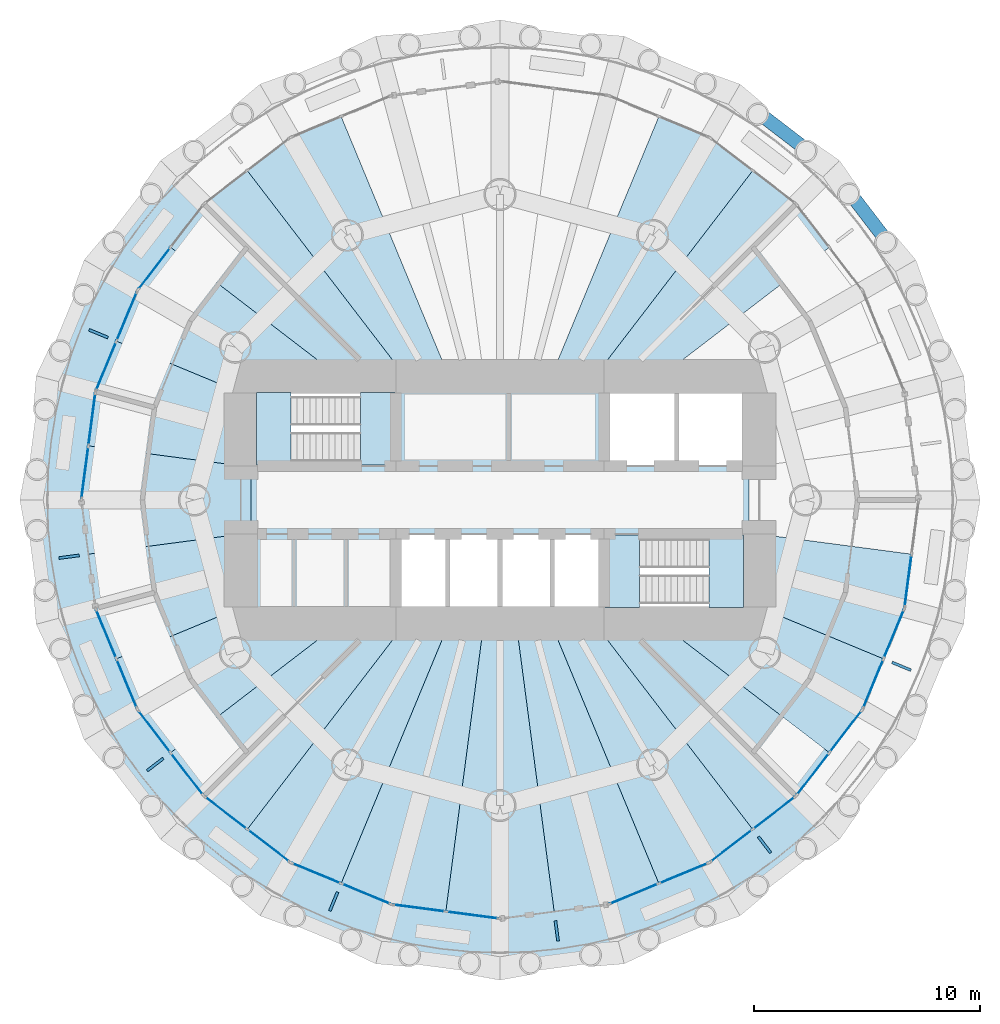
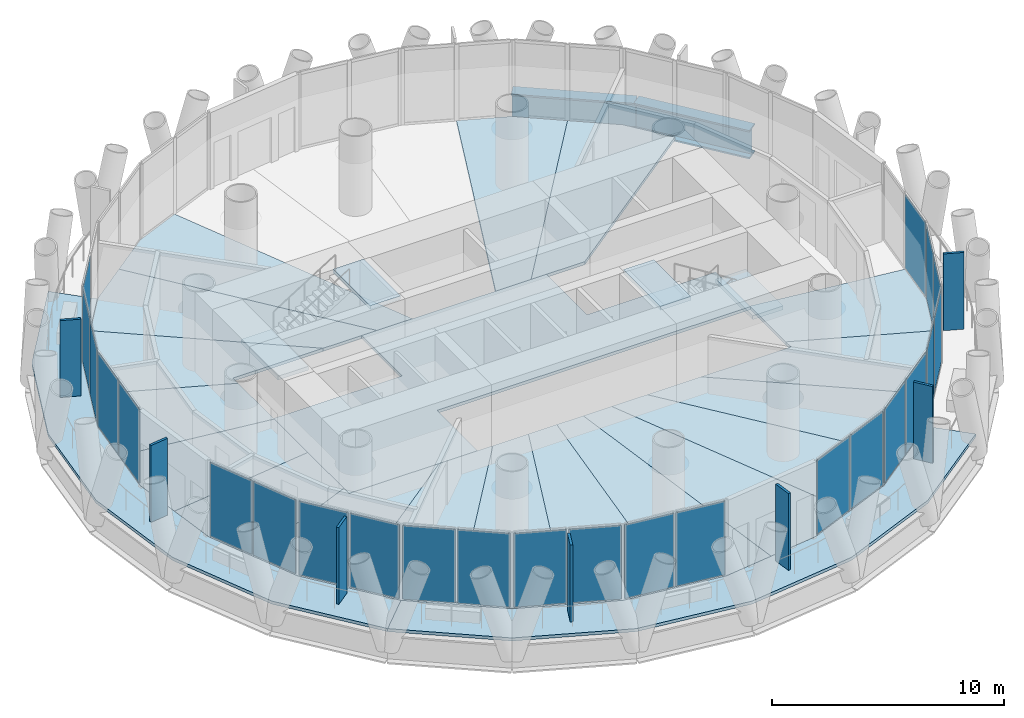
# One storey, part 6 of 12: 31 plates, 25 slabs, 2 beams, 15 elements without a shape of their own.
"""IFC4 building model written with IfcOpenShell, lengths in metres."""

from ifc_helpers import new_model, si_unit, direction, frame, origin, origin_2d, place, context, subcontext, project, spatial, polyline, rectangle, i_section, outline, extrude, material, layer, layer_set, material_profile, profile_set, type_object, element, aggregate, save


model = new_model("IFC4")

# Units and contexts
model_context = context("Model", 3, precision=1e-05, world=origin(), true_north=direction((0.0, 1.0)))
body_context = subcontext(model_context, "Body", "Model", "MODEL_VIEW")
ifc_project = project(units=[si_unit("LENGTHUNIT", "METRE"), si_unit("AREAUNIT", "SQUARE_METRE"), si_unit("VOLUMEUNIT", "CUBIC_METRE"), si_unit("PLANEANGLEUNIT", "RADIAN"), si_unit("MASSUNIT", "GRAM", prefix="KILO")], contexts=[model_context])

# Site, building, storey
site_placement = place(None, origin())
site = spatial("IfcSite", under=ifc_project, at=site_placement, CompositionType="ELEMENT")
building_placement = place(site_placement, origin())
building = spatial("IfcBuilding", under=site, at=building_placement, Name="Qaws Media Tower", CompositionType="ELEMENT")
storey_placement = place(building_placement, frame((0.0, 0.0, 278.0)))
storey = spatial("IfcBuildingStorey", under=building, at=storey_placement, Name="L64", CompositionType="ELEMENT", Elevation=278.0)

# Beams
ifc_material_1 = material(Name="Steel S460", Category="steel")
ifc_material_profile = material_profile(ifc_material_1, i_section(OverallWidth=0.60009765625, OverallDepth=1.5, WebThickness=0.030029296875, FlangeThickness=0.080078125, at=origin_2d()), Name="PG 1500x600")
ifc_profile_set = profile_set([ifc_material_profile], Name="Steel S460")
beam_type = type_object("IfcBeamType", Name="Edge ring beam PG 1500x600", PredefinedType="BEAM", material=ifc_profile_set)
for number, where, z_axis, x_axis, name in (
    (1, (77.9267578125, 60.35009765625, -0.909912109375), (-0.608753981167, 0.793359055165, 0.0), (-0.793359055165, -0.608753981167, 0.0), "RB5 edge ring beam L64-03"),
    (2, (74.63720703125, 64.63720703125, -0.909912109375), (-0.793359055165, 0.608753981167, 0.0), (-0.608753981167, -0.793359055165, 0.0), "RB5 edge ring beam L64-04"),
):
    element("IfcBeam", number, at=place(storey_placement, frame(where, z_axis=z_axis, x_axis=x_axis)), inside=storey, type_object=beam_type, Name=name, PredefinedType="BEAM", context=body_context, shape_type="SweptSolid", body=[
        extrude(i_section(OverallWidth=0.60009765625, OverallDepth=1.5, WebThickness=0.030029296875, FlangeThickness=0.080078125, at=origin_2d()), origin(), (0.0, 0.0, 1.0), 5.40380859375),
    ])

# Slabs
ifc_material_2 = material(Name="Concrete C35/45", Category="concrete")
ifc_layer_1 = layer(ifc_material_2, 0.159912109375)
ifc_layer_set_1 = layer_set([ifc_layer_1], Name="Composite balcony slab 160")
slab_type_1 = type_object("IfcSlabType", Name="Composite balcony slab 160", PredefinedType="FLOOR", material=ifc_layer_set_1)
slab_1_placement = place(storey_placement, frame((0.0, 0.0, -0.159912109375)))
element("IfcSlab", 3, at=slab_1_placement, inside=storey, type_object=slab_type_1, Name="S2 balcony slab L64 R10 to R16, movement joints on R10 and R16", PredefinedType="FLOOR", context=body_context, shape_type="SweptSolid", body=[
    extrude(outline(polyline([(42.0732421875, 39.64990234375), (40.00537109375, 44.642333984375), (39.300048828125, 50.0), (40.00537109375, 55.357666015625), (42.0732421875, 60.35009765625), (45.36279296875, 64.63720703125), (46.91845703125, 63.08154296875), (43.978515625, 59.25), (42.13037109375, 54.7880859375), (41.5, 50.0), (42.13037109375, 45.2119140625), (43.978515625, 40.75), (46.91845703125, 36.91845703125), (45.36279296875, 35.36279296875), (42.0732421875, 39.64990234375)])), origin(), (0.0, 0.0, 1.0), 0.159912109375),
])
slab_2_placement = place(storey_placement, frame((0.0, 0.0, -0.159912109375)))
element("IfcSlab", 4, at=slab_2_placement, inside=storey, type_object=slab_type_1, Name="S2 balcony slab L64 R16 to R22, movement joints on R16 and R22", PredefinedType="FLOOR", context=body_context, shape_type="SweptSolid", body=[
    extrude(outline(polyline([(70.35009765625, 32.0732421875), (65.357666015625, 30.00537109375), (60.0, 29.300048828125), (54.642333984375, 30.00537109375), (49.64990234375, 32.0732421875), (45.36279296875, 35.36279296875), (46.91845703125, 36.91845703125), (50.75, 33.978515625), (55.2119140625, 32.13037109375), (60.0, 31.5), (64.7880859375, 32.13037109375), (69.25, 33.978515625), (73.08154296875, 36.91845703125), (74.63720703125, 35.36279296875), (70.35009765625, 32.0732421875)])), origin(), (0.0, 0.0, 1.0), 0.159912109375),
])
ifc_material_3 = material(Name="Concrete C35/45", Category="concrete")
ifc_layer_2 = layer(ifc_material_3, 0.159912109375)
ifc_layer_set_2 = layer_set([ifc_layer_2], Name="Composite floor slab 160")
slab_type_2 = type_object("IfcSlabType", Name="Composite floor slab 160", PredefinedType="FLOOR", material=ifc_layer_set_2)
slab_3_placement = place(storey_placement, frame((0.0, 0.0, -0.159912109375)))
element("IfcSlab", 5, at=slab_3_placement, inside=storey, type_object=slab_type_2, Name="S1 core floor slab L64", PredefinedType="FLOOR", context=body_context, shape_type="SweptSolid", body=[
    extrude(outline(polyline([(71.0, 51.5), (71.0, 48.5), (55.39990234375, 48.5), (55.39990234375, 45.0), (49.0, 45.0), (49.0, 51.5), (55.39990234375, 51.5), (55.39990234375, 55.0), (64.60009765625, 55.0), (64.60009765625, 51.5), (71.0, 51.5)])), origin(), (0.0, 0.0, 1.0), 0.159912109375),
])
slab_4_placement = place(storey_placement, frame((0.0, 0.0, -0.159912109375)))
element("IfcSlab", 6, at=slab_4_placement, inside=storey, type_object=slab_type_2, Name="S1 floor panel L64 on R04", PredefinedType="FLOOR", context=body_context, shape_type="SweptSolid", body=[
    extrude(outline(polyline([(73.08154296875, 63.08154296875), (74.551513671875, 61.165771484375), (66.51611328125, 55.0), (63.836669921875, 55.0), (71.165771484375, 64.551513671875), (73.08154296875, 63.08154296875)])), origin(), (0.0, 0.0, 1.0), 0.159912109375),
])
slab_5_placement = place(storey_placement, frame((0.0, 0.0, -0.159912109375)))
element("IfcSlab", 7, at=slab_5_placement, inside=storey, type_object=slab_type_2, Name="S1 floor panel L64 on R05", PredefinedType="FLOOR", context=body_context, shape_type="SweptSolid", body=[
    extrude(outline(polyline([(69.25, 66.021484375), (71.165771484375, 64.551513671875), (63.836669921875, 55.0), (62.071044921875, 55.0), (67.01904296875, 66.945556640625), (69.25, 66.021484375)])), origin(), (0.0, 0.0, 1.0), 0.159912109375),
])
slab_6_placement = place(storey_placement, frame((0.0, 0.0, -0.159912109375)))
element("IfcSlab", 8, at=slab_6_placement, inside=storey, type_object=slab_type_2, Name="S1 floor panel L64 on R09", PredefinedType="FLOOR", context=body_context, shape_type="SweptSolid", body=[
    extrude(outline(polyline([(50.75, 66.021484375), (52.98095703125, 66.945556640625), (57.928955078125, 55.0), (56.163330078125, 55.0), (48.834228515625, 64.551513671875), (50.75, 66.021484375)])), origin(), (0.0, 0.0, 1.0), 0.159912109375),
])
slab_7_placement = place(storey_placement, frame((0.0, 0.0, -0.159912109375)))
element("IfcSlab", 9, at=slab_7_placement, inside=storey, type_object=slab_type_2, Name="S1 floor panel L64 on R10", PredefinedType="FLOOR", context=body_context, shape_type="SweptSolid", body=[
    extrude(outline(polyline([(46.91845703125, 63.08154296875), (48.834228515625, 64.551513671875), (56.163330078125, 55.0), (53.48388671875, 55.0), (45.448486328125, 61.165771484375), (46.91845703125, 63.08154296875)])), origin(), (0.0, 0.0, 1.0), 0.159912109375),
])
slab_8_placement = place(storey_placement, frame((0.0, 0.0, -0.159912109375)))
element("IfcSlab", 10, at=slab_8_placement, inside=storey, type_object=slab_type_2, Name="S1 floor panel L64 on R11", PredefinedType="FLOOR", context=body_context, shape_type="SweptSolid", body=[
    extrude(outline(polyline([(43.978515625, 59.25), (45.448486328125, 61.165771484375), (53.48388671875, 55.0), (49.0, 55.0), (49.0, 54.556396484375), (43.054443359375, 57.01904296875), (43.978515625, 59.25)])), origin(), (0.0, 0.0, 1.0), 0.159912109375),
])
slab_9_placement = place(storey_placement, frame((0.0, 0.0, -0.159912109375)))
element("IfcSlab", 11, at=slab_9_placement, inside=storey, type_object=slab_type_2, Name="S1 floor panel L64 on R12", PredefinedType="FLOOR", context=body_context, shape_type="SweptSolid", body=[
    extrude(outline(polyline([(42.13037109375, 54.7880859375), (43.054443359375, 57.01904296875), (49.0, 54.556396484375), (49.0, 51.4482421875), (41.815185546875, 52.39404296875), (42.13037109375, 54.7880859375)])), origin(), (0.0, 0.0, 1.0), 0.159912109375),
])
slab_10_placement = place(storey_placement, frame((0.0, 0.0, -0.159912109375)))
element("IfcSlab", 12, at=slab_10_placement, inside=storey, type_object=slab_type_2, Name="S1 floor panel L64 on R13", PredefinedType="FLOOR", context=body_context, shape_type="SweptSolid", body=[
    extrude(outline(polyline([(41.5, 50.0), (41.815185546875, 52.39404296875), (49.0, 51.4482421875), (49.0, 48.5517578125), (41.815185546875, 47.60595703125), (41.5, 50.0)])), origin(), (0.0, 0.0, 1.0), 0.159912109375),
])
slab_11_placement = place(storey_placement, frame((0.0, 0.0, -0.159912109375)))
element("IfcSlab", 13, at=slab_11_placement, inside=storey, type_object=slab_type_2, Name="S1 floor panel L64 on R14", PredefinedType="FLOOR", context=body_context, shape_type="SweptSolid", body=[
    extrude(outline(polyline([(42.13037109375, 45.2119140625), (41.815185546875, 47.60595703125), (49.0, 48.5517578125), (49.0, 45.443603515625), (43.054443359375, 42.98095703125), (42.13037109375, 45.2119140625)])), origin(), (0.0, 0.0, 1.0), 0.159912109375),
])
slab_12_placement = place(storey_placement, frame((0.0, 0.0, -0.159912109375)))
element("IfcSlab", 14, at=slab_12_placement, inside=storey, type_object=slab_type_2, Name="S1 floor panel L64 on R15", PredefinedType="FLOOR", context=body_context, shape_type="SweptSolid", body=[
    extrude(outline(polyline([(43.978515625, 40.75), (43.054443359375, 42.98095703125), (49.0, 45.443603515625), (49.0, 45.0), (53.48388671875, 45.0), (45.448486328125, 38.834228515625), (43.978515625, 40.75)])), origin(), (0.0, 0.0, 1.0), 0.159912109375),
])
slab_13_placement = place(storey_placement, frame((0.0, 0.0, -0.159912109375)))
element("IfcSlab", 15, at=slab_13_placement, inside=storey, type_object=slab_type_2, Name="S1 floor panel L64 on R16", PredefinedType="FLOOR", context=body_context, shape_type="SweptSolid", body=[
    extrude(outline(polyline([(46.91845703125, 36.91845703125), (45.448486328125, 38.834228515625), (53.48388671875, 45.0), (56.163330078125, 45.0), (48.834228515625, 35.448486328125), (46.91845703125, 36.91845703125)])), origin(), (0.0, 0.0, 1.0), 0.159912109375),
])
slab_14_placement = place(storey_placement, frame((0.0, 0.0, -0.159912109375)))
element("IfcSlab", 16, at=slab_14_placement, inside=storey, type_object=slab_type_2, Name="S1 floor panel L64 on R17", PredefinedType="FLOOR", context=body_context, shape_type="SweptSolid", body=[
    extrude(outline(polyline([(50.75, 33.978515625), (48.834228515625, 35.448486328125), (56.163330078125, 45.0), (57.928955078125, 45.0), (52.98095703125, 33.054443359375), (50.75, 33.978515625)])), origin(), (0.0, 0.0, 1.0), 0.159912109375),
])
slab_15_placement = place(storey_placement, frame((0.0, 0.0, -0.159912109375)))
element("IfcSlab", 17, at=slab_15_placement, inside=storey, type_object=slab_type_2, Name="S1 floor panel L64 on R18", PredefinedType="FLOOR", context=body_context, shape_type="SweptSolid", body=[
    extrude(outline(polyline([(55.2119140625, 32.13037109375), (52.98095703125, 33.054443359375), (57.928955078125, 45.0), (59.341796875, 45.0), (57.60595703125, 31.815185546875), (55.2119140625, 32.13037109375)])), origin(), (0.0, 0.0, 1.0), 0.159912109375),
])
slab_16_placement = place(storey_placement, frame((0.0, 0.0, -0.159912109375)))
element("IfcSlab", 18, at=slab_16_placement, inside=storey, type_object=slab_type_2, Name="S1 floor panel L64 on R19", PredefinedType="FLOOR", context=body_context, shape_type="SweptSolid", body=[
    extrude(outline(polyline([(60.0, 31.5), (57.60595703125, 31.815185546875), (59.341796875, 45.0), (60.658203125, 45.0), (62.39404296875, 31.815185546875), (60.0, 31.5)])), origin(), (0.0, 0.0, 1.0), 0.159912109375),
])
slab_17_placement = place(storey_placement, frame((0.0, 0.0, -0.159912109375)))
element("IfcSlab", 19, at=slab_17_placement, inside=storey, type_object=slab_type_2, Name="S1 floor panel L64 on R20", PredefinedType="FLOOR", context=body_context, shape_type="SweptSolid", body=[
    extrude(outline(polyline([(64.7880859375, 32.13037109375), (62.39404296875, 31.815185546875), (60.658203125, 45.0), (62.071044921875, 45.0), (67.01904296875, 33.054443359375), (64.7880859375, 32.13037109375)])), origin(), (0.0, 0.0, 1.0), 0.159912109375),
])
slab_18_placement = place(storey_placement, frame((0.0, 0.0, -0.159912109375)))
element("IfcSlab", 20, at=slab_18_placement, inside=storey, type_object=slab_type_2, Name="S1 floor panel L64 on R21", PredefinedType="FLOOR", context=body_context, shape_type="SweptSolid", body=[
    extrude(outline(polyline([(69.25, 33.978515625), (67.01904296875, 33.054443359375), (62.071044921875, 45.0), (63.836669921875, 45.0), (71.165771484375, 35.448486328125), (69.25, 33.978515625)])), origin(), (0.0, 0.0, 1.0), 0.159912109375),
])
slab_19_placement = place(storey_placement, frame((0.0, 0.0, -0.159912109375)))
element("IfcSlab", 21, at=slab_19_placement, inside=storey, type_object=slab_type_2, Name="S1 floor panel L64 on R22", PredefinedType="FLOOR", context=body_context, shape_type="SweptSolid", body=[
    extrude(outline(polyline([(73.08154296875, 36.91845703125), (71.165771484375, 35.448486328125), (63.836669921875, 45.0), (66.51611328125, 45.0), (74.551513671875, 38.834228515625), (73.08154296875, 36.91845703125)])), origin(), (0.0, 0.0, 1.0), 0.159912109375),
])
slab_20_placement = place(storey_placement, frame((0.0, 0.0, -0.159912109375)))
element("IfcSlab", 22, at=slab_20_placement, inside=storey, type_object=slab_type_2, Name="S1 floor panel L64 on R23", PredefinedType="FLOOR", context=body_context, shape_type="SweptSolid", body=[
    extrude(outline(polyline([(76.021484375, 40.75), (74.551513671875, 38.834228515625), (66.51611328125, 45.0), (71.0, 45.0), (71.0, 45.443603515625), (76.945556640625, 42.98095703125), (76.021484375, 40.75)])), origin(), (0.0, 0.0, 1.0), 0.159912109375),
])
slab_21_placement = place(storey_placement, frame((0.0, 0.0, -0.159912109375)))
element("IfcSlab", 23, at=slab_21_placement, inside=storey, type_object=slab_type_2, Name="S1 floor panel L64 on R24", PredefinedType="FLOOR", context=body_context, shape_type="SweptSolid", body=[
    extrude(outline(polyline([(76.945556640625, 42.98095703125), (71.0, 45.443603515625), (71.0, 48.5517578125), (78.184814453125, 47.60595703125), (77.86962890625, 45.2119140625), (76.945556640625, 42.98095703125)])), origin(), (0.0, 0.0, 1.0), 0.159912109375),
])

# Curtain wall, plate
ifc_material_4 = material(Name="Aluminium and clear glass", Category="aluminium")
curtain_wall_type = type_object("IfcCurtainWallType", Name="Unitised curtain wall CW-D", PredefinedType="NOTDEFINED", material=ifc_material_4)
curtain_wall_1_placement = place(storey_placement, origin())
curtain_wall_1 = element("IfcCurtainWall", 24, at=curtain_wall_1_placement, inside=storey, type_object=curtain_wall_type, Name="CWD curtain wall L64-10", PredefinedType="NOTDEFINED")
ifc_material_5 = material(Name="Clear laminated double glazing", Category="glass")
ifc_layer_3 = layer(ifc_material_5, 0.031982421875)
ifc_layer_set_3 = layer_set([ifc_layer_3], Name="Curtain wall glass unit 32")
plate_type_1 = type_object("IfcPlateType", Name="Curtain wall glass unit 32", PredefinedType="CURTAIN_PANEL", material=ifc_layer_set_3)
plate_1_placement = place(storey_placement, frame((44.7255859375, 60.2236328125, 0.080078125), z_axis=(0.0, 0.0, 1.0), x_axis=(-0.608761537012, -0.793353257417, 0.0)))
plate_1 = element("IfcPlate", 25, at=plate_1_placement, type_object=plate_type_1, Name="CWD panel 2.1", PredefinedType="CURTAIN_PANEL", context=body_context, shape_type="SweptSolid", body=[
    extrude(rectangle(XDim=2.294677734375, YDim=0.031982421875, at=origin_2d()), origin(), (0.0, 0.0, 1.0), 3.8798828125),
])
aggregate(curtain_wall_1, [plate_1])

# Curtain wall, plates
curtain_wall_2_placement = place(storey_placement, origin())
curtain_wall_2 = element("IfcCurtainWall", 26, at=curtain_wall_2_placement, inside=storey, type_object=curtain_wall_type, Name="CWD curtain wall L64-11", PredefinedType="NOTDEFINED")
plate_2_placement = place(storey_placement, frame((43.5087890625, 58.115966796875, 0.080078125), z_axis=(0.0, 0.0, 1.0), x_axis=(-0.382683440347, -0.923879529205, 0.0)))
plate_2 = element("IfcPlate", 27, at=plate_2_placement, type_object=plate_type_1, Name="CWD panel 1.1", PredefinedType="CURTAIN_PANEL", context=body_context, shape_type="SweptSolid", body=[
    extrude(rectangle(XDim=2.294677734375, YDim=0.031982421875, at=origin_2d()), origin(), (0.0, 0.0, 1.0), 3.8798828125),
])
plate_3_placement = place(storey_placement, frame((42.60009765625, 55.922119140625, 0.080078125), z_axis=(0.0, 0.0, 1.0), x_axis=(-0.382683440347, -0.923879529205, 0.0)))
plate_3 = element("IfcPlate", 28, at=plate_3_placement, type_object=plate_type_1, Name="CWD panel 2.1", PredefinedType="CURTAIN_PANEL", context=body_context, shape_type="SweptSolid", body=[
    extrude(rectangle(XDim=2.294677734375, YDim=0.031982421875, at=origin_2d()), origin(), (0.0, 0.0, 1.0), 3.8798828125),
])
aggregate(curtain_wall_2, [plate_2, plate_3])

curtain_wall_3_placement = place(storey_placement, origin())
curtain_wall_3 = element("IfcCurtainWall", 29, at=curtain_wall_3_placement, inside=storey, type_object=curtain_wall_type, Name="CWD curtain wall L64-12", PredefinedType="NOTDEFINED")
plate_4_placement = place(storey_placement, frame((41.97021484375, 53.5712890625, 0.080078125), z_axis=(0.0, 0.0, 1.0), x_axis=(-0.130526157699, -0.991444865919, 0.0)))
plate_4 = element("IfcPlate", 30, at=plate_4_placement, type_object=plate_type_1, Name="CWD panel 1.1", PredefinedType="CURTAIN_PANEL", context=body_context, shape_type="SweptSolid", body=[
    extrude(rectangle(XDim=2.294677734375, YDim=0.031982421875, at=origin_2d()), origin(), (0.0, 0.0, 1.0), 3.8798828125),
])
plate_5_placement = place(storey_placement, frame((41.66015625, 51.216796875, 0.080078125), z_axis=(0.0, 0.0, 1.0), x_axis=(-0.130526157699, -0.991444865919, 0.0)))
plate_5 = element("IfcPlate", 31, at=plate_5_placement, type_object=plate_type_1, Name="CWD panel 2.1", PredefinedType="CURTAIN_PANEL", context=body_context, shape_type="SweptSolid", body=[
    extrude(rectangle(XDim=2.294677734375, YDim=0.031982421875, at=origin_2d()), origin(), (0.0, 0.0, 1.0), 3.8798828125),
])
aggregate(curtain_wall_3, [plate_4, plate_5])

curtain_wall_4_placement = place(storey_placement, origin())
curtain_wall_4 = element("IfcCurtainWall", 32, at=curtain_wall_4_placement, inside=storey, type_object=curtain_wall_type, Name="CWD curtain wall L64-14", PredefinedType="NOTDEFINED")
plate_6_placement = place(storey_placement, frame((42.60009765625, 44.077880859375, 0.080078125), z_axis=(0.0, 0.0, 1.0), x_axis=(0.382683440347, -0.923879529205, 0.0)))
plate_6 = element("IfcPlate", 33, at=plate_6_placement, type_object=plate_type_1, Name="CWD panel 1.1", PredefinedType="CURTAIN_PANEL", context=body_context, shape_type="SweptSolid", body=[
    extrude(rectangle(XDim=2.294677734375, YDim=0.031982421875, at=origin_2d()), origin(), (0.0, 0.0, 1.0), 3.8798828125),
])
plate_7_placement = place(storey_placement, frame((43.5087890625, 41.884033203125, 0.080078125), z_axis=(0.0, 0.0, 1.0), x_axis=(0.382683440347, -0.923879529205, 0.0)))
plate_7 = element("IfcPlate", 34, at=plate_7_placement, type_object=plate_type_1, Name="CWD panel 2.1", PredefinedType="CURTAIN_PANEL", context=body_context, shape_type="SweptSolid", body=[
    extrude(rectangle(XDim=2.294677734375, YDim=0.031982421875, at=origin_2d()), origin(), (0.0, 0.0, 1.0), 3.8798828125),
])
aggregate(curtain_wall_4, [plate_6, plate_7])

curtain_wall_5_placement = place(storey_placement, origin())
curtain_wall_5 = element("IfcCurtainWall", 35, at=curtain_wall_5_placement, inside=storey, type_object=curtain_wall_type, Name="CWD curtain wall L64-15", PredefinedType="NOTDEFINED")
plate_8_placement = place(storey_placement, frame((44.7255859375, 39.7763671875, 0.080078125), z_axis=(0.0, 0.0, 1.0), x_axis=(0.608761537012, -0.793353257417, 0.0)))
plate_8 = element("IfcPlate", 36, at=plate_8_placement, type_object=plate_type_1, Name="CWD panel 1.1", PredefinedType="CURTAIN_PANEL", context=body_context, shape_type="SweptSolid", body=[
    extrude(rectangle(XDim=2.294677734375, YDim=0.031982421875, at=origin_2d()), origin(), (0.0, 0.0, 1.0), 3.8798828125),
])
plate_9_placement = place(storey_placement, frame((46.17138671875, 37.892333984375, 0.080078125), z_axis=(0.0, 0.0, 1.0), x_axis=(0.608761537012, -0.793353257417, 0.0)))
plate_9 = element("IfcPlate", 37, at=plate_9_placement, type_object=plate_type_1, Name="CWD panel 2.1", PredefinedType="CURTAIN_PANEL", context=body_context, shape_type="SweptSolid", body=[
    extrude(rectangle(XDim=2.294677734375, YDim=0.031982421875, at=origin_2d()), origin(), (0.0, 0.0, 1.0), 3.8798828125),
])
aggregate(curtain_wall_5, [plate_8, plate_9])

curtain_wall_6_placement = place(storey_placement, origin())
curtain_wall_6 = element("IfcCurtainWall", 38, at=curtain_wall_6_placement, inside=storey, type_object=curtain_wall_type, Name="CWD curtain wall L64-16", PredefinedType="NOTDEFINED")
plate_10_placement = place(storey_placement, frame((47.892333984375, 36.17138671875, 0.080078125), z_axis=(0.0, 0.0, 1.0), x_axis=(0.793353257417, -0.608761537012, 0.0)))
plate_10 = element("IfcPlate", 39, at=plate_10_placement, type_object=plate_type_1, Name="CWD panel 1.1", PredefinedType="CURTAIN_PANEL", context=body_context, shape_type="SweptSolid", body=[
    extrude(rectangle(XDim=2.294677734375, YDim=0.031982421875, at=origin_2d()), origin(), (0.0, 0.0, 1.0), 3.8798828125),
])
plate_11_placement = place(storey_placement, frame((49.7763671875, 34.7255859375, 0.080078125), z_axis=(0.0, 0.0, 1.0), x_axis=(0.793353257417, -0.608761537012, 0.0)))
plate_11 = element("IfcPlate", 40, at=plate_11_placement, type_object=plate_type_1, Name="CWD panel 2.1", PredefinedType="CURTAIN_PANEL", context=body_context, shape_type="SweptSolid", body=[
    extrude(rectangle(XDim=2.294677734375, YDim=0.031982421875, at=origin_2d()), origin(), (0.0, 0.0, 1.0), 3.8798828125),
])
aggregate(curtain_wall_6, [plate_10, plate_11])

curtain_wall_7_placement = place(storey_placement, origin())
curtain_wall_7 = element("IfcCurtainWall", 41, at=curtain_wall_7_placement, inside=storey, type_object=curtain_wall_type, Name="CWD curtain wall L64-17", PredefinedType="NOTDEFINED")
plate_12_placement = place(storey_placement, frame((51.884033203125, 33.5087890625, 0.080078125), z_axis=(0.0, 0.0, 1.0), x_axis=(0.923879529205, -0.382683440347, 0.0)))
plate_12 = element("IfcPlate", 42, at=plate_12_placement, type_object=plate_type_1, Name="CWD panel 1.1", PredefinedType="CURTAIN_PANEL", context=body_context, shape_type="SweptSolid", body=[
    extrude(rectangle(XDim=2.294677734375, YDim=0.031982421875, at=origin_2d()), origin(), (0.0, 0.0, 1.0), 3.8798828125),
])
plate_13_placement = place(storey_placement, frame((54.077880859375, 32.60009765625, 0.080078125), z_axis=(0.0, 0.0, 1.0), x_axis=(0.923879529205, -0.382683440347, 0.0)))
plate_13 = element("IfcPlate", 43, at=plate_13_placement, type_object=plate_type_1, Name="CWD panel 2.1", PredefinedType="CURTAIN_PANEL", context=body_context, shape_type="SweptSolid", body=[
    extrude(rectangle(XDim=2.294677734375, YDim=0.031982421875, at=origin_2d()), origin(), (0.0, 0.0, 1.0), 3.8798828125),
])
aggregate(curtain_wall_7, [plate_12, plate_13])

curtain_wall_8_placement = place(storey_placement, origin())
curtain_wall_8 = element("IfcCurtainWall", 44, at=curtain_wall_8_placement, inside=storey, type_object=curtain_wall_type, Name="CWD curtain wall L64-18", PredefinedType="NOTDEFINED")
plate_14_placement = place(storey_placement, frame((56.4287109375, 31.97021484375, 0.080078125), z_axis=(0.0, 0.0, 1.0), x_axis=(0.991444865919, -0.130526157699, 0.0)))
plate_14 = element("IfcPlate", 45, at=plate_14_placement, type_object=plate_type_1, Name="CWD panel 1.1", PredefinedType="CURTAIN_PANEL", context=body_context, shape_type="SweptSolid", body=[
    extrude(rectangle(XDim=2.294677734375, YDim=0.031982421875, at=origin_2d()), origin(), (0.0, 0.0, 1.0), 3.8798828125),
])
plate_15_placement = place(storey_placement, frame((58.783203125, 31.66015625, 0.080078125), z_axis=(0.0, 0.0, 1.0), x_axis=(0.991444865919, -0.130526157699, 0.0)))
plate_15 = element("IfcPlate", 46, at=plate_15_placement, type_object=plate_type_1, Name="CWD panel 2.1", PredefinedType="CURTAIN_PANEL", context=body_context, shape_type="SweptSolid", body=[
    extrude(rectangle(XDim=2.294677734375, YDim=0.031982421875, at=origin_2d()), origin(), (0.0, 0.0, 1.0), 3.8798828125),
])
aggregate(curtain_wall_8, [plate_14, plate_15])

curtain_wall_9_placement = place(storey_placement, origin())
curtain_wall_9 = element("IfcCurtainWall", 47, at=curtain_wall_9_placement, inside=storey, type_object=curtain_wall_type, Name="CWD curtain wall L64-20", PredefinedType="NOTDEFINED")
plate_16_placement = place(storey_placement, frame((65.922119140625, 32.60009765625, 0.080078125), z_axis=(0.0, 0.0, 1.0), x_axis=(0.923879529205, 0.382683440347, 0.0)))
plate_16 = element("IfcPlate", 48, at=plate_16_placement, type_object=plate_type_1, Name="CWD panel 1.1", PredefinedType="CURTAIN_PANEL", context=body_context, shape_type="SweptSolid", body=[
    extrude(rectangle(XDim=2.294677734375, YDim=0.031982421875, at=origin_2d()), origin(), (0.0, 0.0, 1.0), 3.8798828125),
])
plate_17_placement = place(storey_placement, frame((68.115966796875, 33.5087890625, 0.080078125), z_axis=(0.0, 0.0, 1.0), x_axis=(0.923879529205, 0.382683440347, 0.0)))
plate_17 = element("IfcPlate", 49, at=plate_17_placement, type_object=plate_type_1, Name="CWD panel 2.1", PredefinedType="CURTAIN_PANEL", context=body_context, shape_type="SweptSolid", body=[
    extrude(rectangle(XDim=2.294677734375, YDim=0.031982421875, at=origin_2d()), origin(), (0.0, 0.0, 1.0), 3.8798828125),
])
aggregate(curtain_wall_9, [plate_16, plate_17])

curtain_wall_10_placement = place(storey_placement, origin())
curtain_wall_10 = element("IfcCurtainWall", 50, at=curtain_wall_10_placement, inside=storey, type_object=curtain_wall_type, Name="CWD curtain wall L64-21", PredefinedType="NOTDEFINED")
plate_18_placement = place(storey_placement, frame((70.2236328125, 34.7255859375, 0.080078125), z_axis=(0.0, 0.0, 1.0), x_axis=(0.793353257417, 0.608761537012, 0.0)))
plate_18 = element("IfcPlate", 51, at=plate_18_placement, type_object=plate_type_1, Name="CWD panel 1.1", PredefinedType="CURTAIN_PANEL", context=body_context, shape_type="SweptSolid", body=[
    extrude(rectangle(XDim=2.294677734375, YDim=0.031982421875, at=origin_2d()), origin(), (0.0, 0.0, 1.0), 3.8798828125),
])
plate_19_placement = place(storey_placement, frame((72.107666015625, 36.17138671875, 0.080078125), z_axis=(0.0, 0.0, 1.0), x_axis=(0.793353257417, 0.608761537012, 0.0)))
plate_19 = element("IfcPlate", 52, at=plate_19_placement, type_object=plate_type_1, Name="CWD panel 2.1", PredefinedType="CURTAIN_PANEL", context=body_context, shape_type="SweptSolid", body=[
    extrude(rectangle(XDim=2.294677734375, YDim=0.031982421875, at=origin_2d()), origin(), (0.0, 0.0, 1.0), 3.8798828125),
])
aggregate(curtain_wall_10, [plate_18, plate_19])

curtain_wall_11_placement = place(storey_placement, origin())
curtain_wall_11 = element("IfcCurtainWall", 53, at=curtain_wall_11_placement, inside=storey, type_object=curtain_wall_type, Name="CWD curtain wall L64-22", PredefinedType="NOTDEFINED")
plate_20_placement = place(storey_placement, frame((73.82861328125, 37.892333984375, 0.080078125), z_axis=(0.0, 0.0, 1.0), x_axis=(0.608761537012, 0.793353257417, 0.0)))
plate_20 = element("IfcPlate", 54, at=plate_20_placement, type_object=plate_type_1, Name="CWD panel 1.1", PredefinedType="CURTAIN_PANEL", context=body_context, shape_type="SweptSolid", body=[
    extrude(rectangle(XDim=2.294677734375, YDim=0.031982421875, at=origin_2d()), origin(), (0.0, 0.0, 1.0), 3.8798828125),
])
plate_21_placement = place(storey_placement, frame((75.2744140625, 39.7763671875, 0.080078125), z_axis=(0.0, 0.0, 1.0), x_axis=(0.608761537012, 0.793353257417, 0.0)))
plate_21 = element("IfcPlate", 55, at=plate_21_placement, type_object=plate_type_1, Name="CWD panel 2.1", PredefinedType="CURTAIN_PANEL", context=body_context, shape_type="SweptSolid", body=[
    extrude(rectangle(XDim=2.294677734375, YDim=0.031982421875, at=origin_2d()), origin(), (0.0, 0.0, 1.0), 3.8798828125),
])
aggregate(curtain_wall_11, [plate_20, plate_21])

curtain_wall_12_placement = place(storey_placement, origin())
curtain_wall_12 = element("IfcCurtainWall", 56, at=curtain_wall_12_placement, inside=storey, type_object=curtain_wall_type, Name="CWD curtain wall L64-23", PredefinedType="NOTDEFINED")
plate_22_placement = place(storey_placement, frame((76.4912109375, 41.884033203125, 0.080078125), z_axis=(0.0, 0.0, 1.0), x_axis=(0.382683440347, 0.923879529205, 0.0)))
plate_22 = element("IfcPlate", 57, at=plate_22_placement, type_object=plate_type_1, Name="CWD panel 1.1", PredefinedType="CURTAIN_PANEL", context=body_context, shape_type="SweptSolid", body=[
    extrude(rectangle(XDim=2.294677734375, YDim=0.031982421875, at=origin_2d()), origin(), (0.0, 0.0, 1.0), 3.8798828125),
])
plate_23_placement = place(storey_placement, frame((77.39990234375, 44.077880859375, 0.080078125), z_axis=(0.0, 0.0, 1.0), x_axis=(0.382683440347, 0.923879529205, 0.0)))
plate_23 = element("IfcPlate", 58, at=plate_23_placement, type_object=plate_type_1, Name="CWD panel 2.1", PredefinedType="CURTAIN_PANEL", context=body_context, shape_type="SweptSolid", body=[
    extrude(rectangle(XDim=2.294677734375, YDim=0.031982421875, at=origin_2d()), origin(), (0.0, 0.0, 1.0), 3.8798828125),
])
aggregate(curtain_wall_12, [plate_22, plate_23])

# Curtain wall, plate
curtain_wall_13_placement = place(storey_placement, origin())
curtain_wall_13 = element("IfcCurtainWall", 59, at=curtain_wall_13_placement, inside=storey, type_object=curtain_wall_type, Name="CWD curtain wall L64-24", PredefinedType="NOTDEFINED")
plate_24_placement = place(storey_placement, frame((78.02978515625, 46.4287109375, 0.080078125), z_axis=(0.0, 0.0, 1.0), x_axis=(0.130526157699, 0.991444865919, 0.0)))
plate_24 = element("IfcPlate", 60, at=plate_24_placement, type_object=plate_type_1, Name="CWD panel 1.1", PredefinedType="CURTAIN_PANEL", context=body_context, shape_type="SweptSolid", body=[
    extrude(rectangle(XDim=2.294677734375, YDim=0.031982421875, at=origin_2d()), origin(), (0.0, 0.0, 1.0), 3.8798828125),
])
aggregate(curtain_wall_13, [plate_24])

# Plates
ifc_material_6 = material(Name="Precast concrete screen fin", Category="concrete")
ifc_layer_4 = layer(ifc_material_6, 0.1201171875)
ifc_layer_set_4 = layer_set([ifc_layer_4], Name="Screen fin 120x900")
plate_type_2 = type_object("IfcPlateType", Name="Screen fin 120x900", PredefinedType="USERDEFINED", material=ifc_layer_set_4)
for number, where, z_axis, x_axis, name in (
    (61, (42.261474609375, 57.347412109375, 0.0), (0.0, 0.0, 1.0), (-0.923879532511, 0.382683432365, 0.0), "SCR1 screen fin L64-06"),
    (62, (40.96435546875, 47.493896484375, 0.0), (0.0, 0.0, 1.0), (-0.991444861374, -0.13052619222, 0.0), "SCR1 screen fin L64-07"),
    (63, (44.767578125, 38.311767578125, 0.0), (0.0, 0.0, 1.0), (-0.793353340291, -0.608761429009, 0.0), "SCR1 screen fin L64-08"),
    (64, (52.652587890625, 32.261474609375, 0.0), (0.0, 0.0, 1.0), (-0.382683432365, -0.923879532511, 0.0), "SCR1 screen fin L64-09"),
    (65, (62.506103515625, 30.96435546875, 0.0), (0.0, 0.0, 1.0), (0.13052619222, -0.991444861374, 0.0), "SCR1 screen fin L64-10"),
    (66, (71.688232421875, 34.767578125, 0.0), (0.0, 0.0, 1.0), (0.608761429009, -0.793353340291, 0.0), "SCR1 screen fin L64-11"),
    (67, (77.738525390625, 42.652587890625, 0.0), (0.0, 0.0, 1.0), (0.923879532511, -0.382683432365, 0.0), "SCR1 screen fin L64-12"),
):
    element("IfcPlate", number, at=place(storey_placement, frame(where, z_axis=z_axis, x_axis=x_axis)), inside=storey, type_object=plate_type_2, Name=name, ObjectType="SCREEN", PredefinedType="USERDEFINED", context=body_context, shape_type="SweptSolid", body=[
        extrude(rectangle(XDim=0.89990234375, YDim=0.1201171875, at=origin_2d()), origin(), (0.0, 0.0, 1.0), 4.0400390625),
    ])

# Stair, slabs
ifc_material_7 = material(Name="Concrete C40/50", Category="concrete")
stair_type = type_object("IfcStairType", Name="Exit stair", PredefinedType="HALF_TURN_STAIR", material=ifc_material_7)
stair_1_placement = place(storey_placement, origin())
stair_1 = element("IfcStair", 68, at=stair_1_placement, inside=storey, type_object=stair_type, Name="S1 exit stair L64", PredefinedType="HALF_TURN_STAIR")
ifc_material_8 = material(Name="Concrete C40/50", Category="concrete")
ifc_layer_5 = layer(ifc_material_8, 0.199951171875)
ifc_layer_set_5 = layer_set([ifc_layer_5], Name="Stair landing 200")
slab_type_3 = type_object("IfcSlabType", Name="Stair landing 200", PredefinedType="LANDING", material=ifc_layer_set_5)
slab_22_placement = place(storey_placement, frame((0.0, 0.0, 1.89990234375)))
slab_22 = element("IfcSlab", 69, at=slab_22_placement, type_object=slab_type_3, Name="S1 landing 1", PredefinedType="LANDING", context=body_context, shape_type="SweptSolid", body=[
    extrude(outline(polyline([(49.25, 51.550048828125), (50.760009765625, 51.550048828125), (50.760009765625, 54.75), (49.25, 54.75), (49.25, 51.550048828125)])), origin(), (0.0, 0.0, 1.0), 0.2001953125),
])
slab_23_placement = place(storey_placement, frame((0.0, 0.0, 4.0)))
slab_23 = element("IfcSlab", 70, at=slab_23_placement, type_object=slab_type_3, Name="S1 landing 2", PredefinedType="LANDING", context=body_context, shape_type="SweptSolid", body=[
    extrude(outline(polyline([(53.840087890625, 51.550048828125), (55.35009765625, 51.550048828125), (55.35009765625, 54.75), (53.840087890625, 54.75), (53.840087890625, 51.550048828125)])), origin(), (0.0, 0.0, 1.0), 0.199951171875),
])
aggregate(stair_1, [slab_22, slab_23])

stair_2_placement = place(storey_placement, origin())
stair_2 = element("IfcStair", 71, at=stair_2_placement, inside=storey, type_object=stair_type, Name="S2 exit stair L64", PredefinedType="HALF_TURN_STAIR")
slab_24_placement = place(storey_placement, frame((0.0, 0.0, 1.89990234375)))
slab_24 = element("IfcSlab", 72, at=slab_24_placement, type_object=slab_type_3, Name="S2 landing 1", PredefinedType="LANDING", context=body_context, shape_type="SweptSolid", body=[
    extrude(outline(polyline([(69.239990234375, 45.25), (70.75, 45.25), (70.75, 48.449951171875), (69.239990234375, 48.449951171875), (69.239990234375, 45.25)])), origin(), (0.0, 0.0, 1.0), 0.2001953125),
])
slab_25_placement = place(storey_placement, frame((0.0, 0.0, 4.0)))
slab_25 = element("IfcSlab", 73, at=slab_25_placement, type_object=slab_type_3, Name="S2 landing 2", PredefinedType="LANDING", context=body_context, shape_type="SweptSolid", body=[
    extrude(outline(polyline([(64.64990234375, 45.25), (66.159912109375, 45.25), (66.159912109375, 48.449951171875), (64.64990234375, 48.449951171875), (64.64990234375, 45.25)])), origin(), (0.0, 0.0, 1.0), 0.199951171875),
])
aggregate(stair_2, [slab_24, slab_25])

save(model, "model.ifc")
